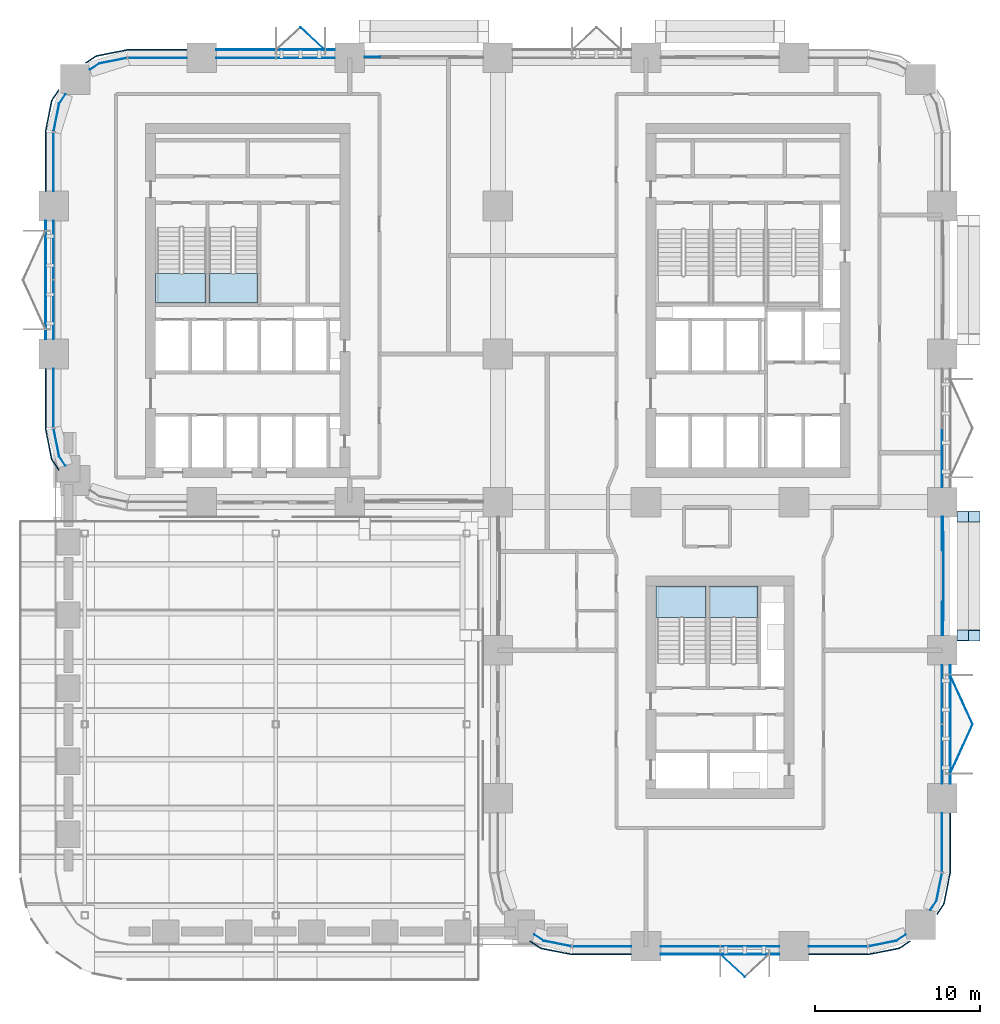
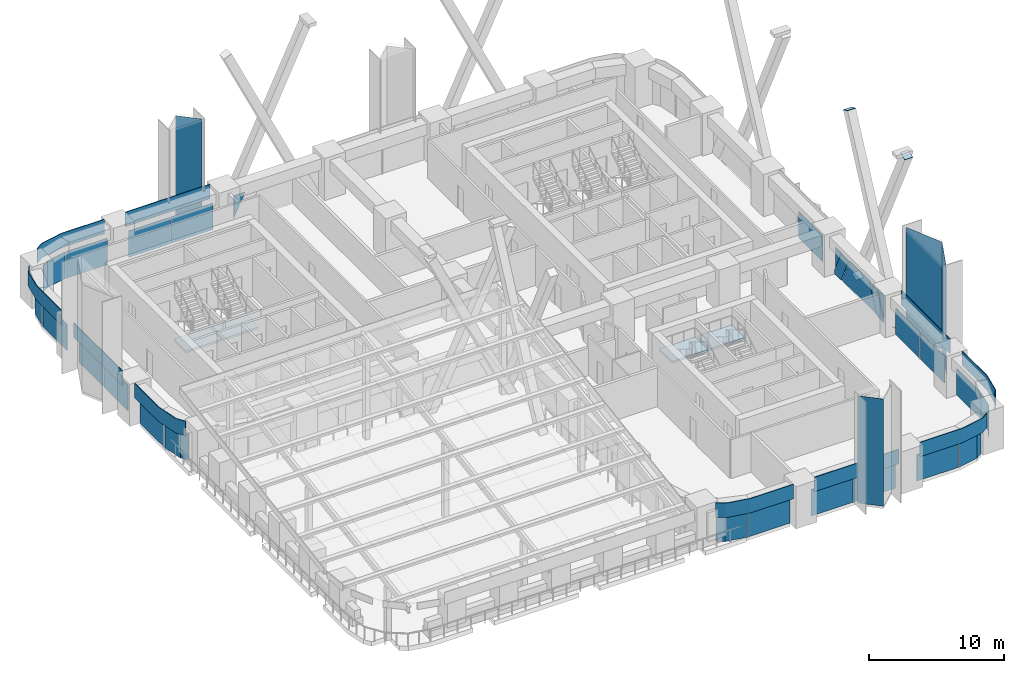
# One storey, part 11 of 22: 45 plates, 4 slabs, 17 elements without a shape of their own.
"""IFC4 building model written with IfcOpenShell, lengths in metres."""

import ifcopenshell
import ifcopenshell.guid

model = None  # the IFC model being written
_history = None  # IfcOwnerHistory: only IFC2X3 demands one
_inside = {}  # id of a spatial element -> (the spatial element, [elements in it])
_under = {}  # id of a project, library or spatial element -> (it, [spatial elements below it])
_declared = {}  # id of a project -> (the project, [libraries it declares])
_typed = {}  # id of a type object -> (the type object, [elements of that type])
_made_of = {}  # id of a material, layer set ... -> (it, [elements and type objects made of it])


def new_model(schema):
    """Start an empty IFC model of exactly this schema.

    Asked for "IFC4X3", IfcOpenShell would pick the latest addendum, in which some entities
    have other attributes; the version numbers below select the first issue.
    IFC2X3 requires an IfcOwnerHistory on every rooted entity: one is made here for all.
    """
    global model, _history
    if schema == "IFC4X3":
        model = ifcopenshell.file(schema_version=(4, 3, 0, 0))
    else:
        model = ifcopenshell.file(schema=schema)
    _inside.clear()
    _under.clear()
    _declared.clear()
    _typed.clear()
    _made_of.clear()
    _history = None
    if model.schema == "IFC2X3":
        org = make("IfcOrganization", Name="unknown")
        user = make(
            "IfcPersonAndOrganization",
            ThePerson=make("IfcPerson", FamilyName="unknown"),
            TheOrganization=org,
        )
        app = make(
            "IfcApplication",
            ApplicationDeveloper=org,
            Version="unknown",
            ApplicationFullName="unknown",
            ApplicationIdentifier="unknown",
        )
        _history = make(
            "IfcOwnerHistory",
            OwningUser=user,
            OwningApplication=app,
            ChangeAction="ADDED",
            CreationDate=0,
        )
    return model


def make(cls, **values):
    """One entity of the class cls with the attributes given. An attribute that is None is left unset."""
    return model.create_entity(
        cls, **{name: value for name, value in values.items() if value is not None}
    )


def rooted(cls, **values):
    """An entity with a GlobalId (a new one), such as an element, a storey or a relation."""
    return make(cls, GlobalId=ifcopenshell.guid.new(), OwnerHistory=_history, **values)


def si_unit(unit_type, name, prefix=None):
    """IfcSIUnit, for example si_unit("LENGTHUNIT", "METRE", prefix="MILLI")."""
    return make("IfcSIUnit", UnitType=unit_type, Prefix=prefix, Name=name)


def assignment(units):
    """IfcUnitAssignment: the units of a project."""
    return None if units is None else make("IfcUnitAssignment", Units=units)


def point(xyz):
    """IfcCartesianPoint."""
    return None if xyz is None else make("IfcCartesianPoint", Coordinates=xyz)


def direction(xyz):
    """IfcDirection."""
    return None if xyz is None else make("IfcDirection", DirectionRatios=xyz)


def frame(location, z_axis=None, x_axis=None):
    """IfcAxis2Placement3D, a coordinate frame: its origin and axes. An axis left out is left unset."""
    return make(
        "IfcAxis2Placement3D",
        Location=point(location),
        Axis=direction(z_axis),
        RefDirection=direction(x_axis),
    )


def frame_2d(location, x_axis=None):
    """IfcAxis2Placement2D, a coordinate frame in the plane: its origin and x axis."""
    return make(
        "IfcAxis2Placement2D", Location=point(location), RefDirection=direction(x_axis)
    )


def origin():
    """The frame at (0, 0, 0) with its axes left unset."""
    return frame((0.0, 0.0, 0.0))


def origin_2d():
    """The frame at (0, 0) in the plane with its x axis left unset."""
    return frame_2d((0.0, 0.0))


def place(relative_to, where):
    """IfcLocalPlacement: puts the frame where relative to a parent placement (None: the world)."""
    return make(
        "IfcLocalPlacement", PlacementRelTo=relative_to, RelativePlacement=where
    )


def context(
    kind, dimensions, precision=None, world=None, true_north=None, identifier=None
):
    """IfcGeometricRepresentationContext, for example the 3D "Model" context."""
    return make(
        "IfcGeometricRepresentationContext",
        ContextIdentifier=identifier,
        ContextType=kind,
        CoordinateSpaceDimension=dimensions,
        Precision=precision,
        WorldCoordinateSystem=world,
        TrueNorth=true_north,
    )


def subcontext(parent, identifier, kind, view, scale=None):
    """IfcGeometricRepresentationSubContext, for example "Body" below "Model"."""
    return make(
        "IfcGeometricRepresentationSubContext",
        ContextIdentifier=identifier,
        ContextType=kind,
        ParentContext=parent,
        TargetScale=scale,
        TargetView=view,
    )


def project(units=None, contexts=None):
    """IfcProject with its units and contexts."""
    return rooted(
        "IfcProject",
        Name="project",
        RepresentationContexts=contexts,
        UnitsInContext=assignment(units),
    )


def spatial(cls, under=None, at=None, **own):
    """A site, building, storey or space (cls), placed at a placement, below another one or the project."""
    s = rooted(cls, ObjectPlacement=at, **own)
    if under is not None:
        _under.setdefault(under.id(), (under, []))[1].append(s)
    return s


def polyline(points):
    """IfcPolyline through the points."""
    return make("IfcPolyline", Points=[point(p) for p in points])


def profile(cls, at=None, kind="AREA", **sizes):
    """A parametric profile (cls). Its sizes go by their IFC names, for example OverallWidth=200.0."""
    return make(cls, ProfileType=kind, Position=at, **sizes)


def rectangle(**sizes):
    """IfcRectangleProfileDef."""
    return profile("IfcRectangleProfileDef", **sizes)


def outline(outer, holes=None, kind="AREA"):
    """IfcArbitraryClosedProfileDef: a profile drawn as a closed curve; with holes, ...WithVoids."""
    if holes is None:
        return make("IfcArbitraryClosedProfileDef", ProfileType=kind, OuterCurve=outer)
    return make(
        "IfcArbitraryProfileDefWithVoids",
        ProfileType=kind,
        OuterCurve=outer,
        InnerCurves=holes,
    )


def extrude(swept, where, along, depth):
    """IfcExtrudedAreaSolid: the profile swept, set in the frame where, extruded along a direction by depth."""
    return make(
        "IfcExtrudedAreaSolid",
        SweptArea=swept,
        Position=where,
        ExtrudedDirection=direction(along),
        Depth=depth,
    )


def shape(context_of_items, identifier, shape_type, items):
    """IfcShapeRepresentation: the items that make up one representation, for example the "Body"."""
    return make(
        "IfcShapeRepresentation",
        ContextOfItems=context_of_items,
        RepresentationIdentifier=identifier,
        RepresentationType=shape_type,
        Items=items,
    )


def material(Name=None, Category=None):
    """IfcMaterial."""
    return make("IfcMaterial", Name=Name, Category=Category)


def layer(
    of_material, thickness, ventilated=None, Name=None, Category=None, Priority=None
):
    """IfcMaterialLayer: one layer of a wall or slab, of a material (None: an air gap)."""
    return make(
        "IfcMaterialLayer",
        Material=of_material,
        LayerThickness=thickness,
        IsVentilated=ventilated,
        Name=Name,
        Category=Category,
        Priority=Priority,
    )


def layer_set(layers, Name=None):
    """IfcMaterialLayerSet."""
    return make("IfcMaterialLayerSet", MaterialLayers=layers, LayerSetName=Name)


def made_of(thing, what):
    """Note that an element or type object is made of a material, layer set ...; save() writes the relation."""
    if what is not None:
        _made_of.setdefault(what.id(), (what, []))[1].append(thing)
    return thing


def type_object(cls, material=None, **own):
    """A type object (cls), such as IfcWallType, which elements share."""
    return made_of(rooted(cls, **own), material)


def element(
    cls,
    number,
    at=None,
    inside=None,
    cuts=None,
    type_object=None,
    material=None,
    context=None,
    identifier="Body",
    shape_type=None,
    held_by="IfcProductDefinitionShape",
    body=None,
    shapes=None,
    **own,
):
    """One element of the class cls, such as IfcWall. Its Tag is "e" and its number.

    at: its placement. inside: the storey or other place that contains it. cuts: it is an
    opening in that element (IfcRelVoidsElement). A single representation is given by context,
    identifier, shape_type and body (its items); several are given by shapes. held_by: the class
    of the entity that holds the representations. save() writes the other relations.
    """
    e = rooted(cls, Tag="e%d" % number, ObjectPlacement=at, **own)
    if body is not None:
        shapes = [shape(context, identifier, shape_type, body)]
    if shapes is not None:
        e.Representation = make(held_by, Representations=shapes)
    if inside is not None:
        _inside.setdefault(inside.id(), (inside, []))[1].append(e)
    if cuts is not None:
        rooted(
            "IfcRelVoidsElement", RelatingBuildingElement=cuts, RelatedOpeningElement=e
        )
    if type_object is not None:
        _typed.setdefault(type_object.id(), (type_object, []))[1].append(e)
    return made_of(e, material)


def aggregate(whole, parts):
    """IfcRelAggregates: a whole, such as a stair, and the parts it consists of."""
    return rooted("IfcRelAggregates", RelatingObject=whole, RelatedObjects=parts)


def save(model, path):
    """Write the relations noted so far, then the file.

    IfcRelAggregates (storeys below a building ...), IfcRelContainedInSpatialStructure (elements
    in a storey), IfcRelDefinesByType, IfcRelAssociatesMaterial and IfcRelDeclares: one each for
    every whole, place, type object, material and project.
    """
    for whole, parts in _under.values():
        aggregate(whole, parts)
    for where, things in _inside.values():
        rooted(
            "IfcRelContainedInSpatialStructure",
            RelatedElements=things,
            RelatingStructure=where,
        )
    for kind, things in _typed.values():
        rooted("IfcRelDefinesByType", RelatedObjects=things, RelatingType=kind)
    for what, things in _made_of.values():
        rooted("IfcRelAssociatesMaterial", RelatedObjects=things, RelatingMaterial=what)
    for by, libraries in _declared.values():
        rooted("IfcRelDeclares", RelatingContext=by, RelatedDefinitions=libraries)
    model.write(path)


model = new_model("IFC4")

# Units and contexts
model_context = context("Model", 3, precision=1e-05, world=origin(), true_north=direction((0.0, 1.0)))
body_context = subcontext(model_context, "Body", "Model", "MODEL_VIEW")
ifc_project = project(units=[si_unit("LENGTHUNIT", "METRE"), si_unit("AREAUNIT", "SQUARE_METRE"), si_unit("VOLUMEUNIT", "CUBIC_METRE"), si_unit("PLANEANGLEUNIT", "RADIAN"), si_unit("MASSUNIT", "GRAM", prefix="KILO")], contexts=[model_context])

# Site, building, storey
site_placement = place(None, origin())
site = spatial("IfcSite", under=ifc_project, at=site_placement, CompositionType="ELEMENT")
building_placement = place(site_placement, origin())
building = spatial("IfcBuilding", under=site, at=building_placement, Name="Tessera Arch", CompositionType="ELEMENT")
storey_placement = place(building_placement, frame((0.0, 0.0, 77.800048828125)))
storey = spatial("IfcBuildingStorey", under=building, at=storey_placement, Name="L17", CompositionType="ELEMENT", Elevation=77.800048828125)

# Curtain wall, plates
ifc_material_1 = material(Name="CW1 curtain wall")
curtain_wall_type_1 = type_object("IfcCurtainWallType", Name="CW1 curtain wall", PredefinedType="NOTDEFINED", material=ifc_material_1)
curtain_wall_1_placement = place(storey_placement, origin())
curtain_wall_1 = element("IfcCurtainWall", 1, at=curtain_wall_1_placement, inside=storey, type_object=curtain_wall_type_1, Name="CW1 curtain wall N54.0/3 L17", PredefinedType="NOTDEFINED")
ifc_material_2 = material(Name="Clear low-e glass", Category="glass")
ifc_material_3 = material(Name="Clear low-e glass", Category="glass")
ifc_layer_1 = layer(ifc_material_3, 0.028076171875)
ifc_layer_set_1 = layer_set([ifc_layer_1], Name="CW1 glass panel")
plate_type_1 = type_object("IfcPlateType", Name="CW1 glass panel", PredefinedType="CURTAIN_PANEL", material=ifc_layer_set_1)
plate_1_placement = place(storey_placement, frame((15.31494140625, 54.0, 0.0), z_axis=(0.0, 0.0, 1.0), x_axis=(-1.0, 0.0, 0.0)))
plate_1 = element("IfcPlate", 2, at=plate_1_placement, type_object=plate_type_1, material=ifc_material_2, Name="CW1 glass panel N54.0/3 1.1.1", PredefinedType="CURTAIN_PANEL", context=body_context, shape_type="SweptSolid", body=[
    extrude(rectangle(XDim=3.570068359375, YDim=0.028076171875, at=origin_2d()), origin(), (0.0, 0.0, 1.0), 2.39990234375),
])
plate_2_placement = place(storey_placement, frame((11.68505859375, 54.0, 0.0), z_axis=(0.0, 0.0, 1.0), x_axis=(-1.0, 0.0, 0.0)))
plate_2 = element("IfcPlate", 3, at=plate_2_placement, type_object=plate_type_1, material=ifc_material_2, Name="CW1 glass panel N54.0/3 1.2.1", PredefinedType="CURTAIN_PANEL", context=body_context, shape_type="SweptSolid", body=[
    extrude(rectangle(XDim=3.570068359375, YDim=0.028076171875, at=origin_2d()), origin(), (0.0, 0.0, 1.0), 2.39990234375),
])

curtain_wall_2_placement = place(storey_placement, origin())
curtain_wall_2 = element("IfcCurtainWall", 4, at=curtain_wall_2_placement, inside=storey, type_object=curtain_wall_type_1, Name="CW1 curtain wall W0.27/1 L17", PredefinedType="NOTDEFINED")
plate_3_placement = place(storey_placement, frame((0.0, 42.31494140625, 0.0), z_axis=(0.0, 0.0, 1.0), x_axis=(0.0, -1.0, 0.0)))
plate_3 = element("IfcPlate", 5, at=plate_3_placement, type_object=plate_type_1, material=ifc_material_2, Name="CW1 glass panel W0.27/1 1.1.1", PredefinedType="CURTAIN_PANEL", context=body_context, shape_type="SweptSolid", body=[
    extrude(rectangle(XDim=3.570068359375, YDim=0.028076171875, at=origin_2d()), origin(), (0.0, 0.0, 1.0), 2.39990234375),
])
plate_4_placement = place(storey_placement, frame((0.0, 38.68505859375, 0.0), z_axis=(0.0, 0.0, 1.0), x_axis=(0.0, -1.0, 0.0)))
plate_4 = element("IfcPlate", 6, at=plate_4_placement, type_object=plate_type_1, material=ifc_material_2, Name="CW1 glass panel W0.27/1 1.2.1", PredefinedType="CURTAIN_PANEL", context=body_context, shape_type="SweptSolid", body=[
    extrude(rectangle(XDim=3.570068359375, YDim=0.028076171875, at=origin_2d()), origin(), (0.0, 0.0, 1.0), 2.39990234375),
])

curtain_wall_3_placement = place(storey_placement, origin())
curtain_wall_3 = element("IfcCurtainWall", 7, at=curtain_wall_3_placement, inside=storey, type_object=curtain_wall_type_1, Name="CW1 curtain wall S0.27/1 L17", PredefinedType="NOTDEFINED")
plate_5_placement = place(storey_placement, frame((38.68505859375, 0.0, 0.0), z_axis=(0.0, 0.0, 1.0), x_axis=(1.0, 0.0, 0.0)))
plate_5 = element("IfcPlate", 8, at=plate_5_placement, type_object=plate_type_1, material=ifc_material_2, Name="CW1 glass panel S0.27/1 1.1.1", PredefinedType="CURTAIN_PANEL", context=body_context, shape_type="SweptSolid", body=[
    extrude(rectangle(XDim=3.570068359375, YDim=0.028076171875, at=origin_2d()), origin(), (0.0, 0.0, 1.0), 2.39990234375),
])
plate_6_placement = place(storey_placement, frame((42.31494140625, 0.0, 0.0), z_axis=(0.0, 0.0, 1.0), x_axis=(1.0, 0.0, 0.0)))
plate_6 = element("IfcPlate", 9, at=plate_6_placement, type_object=plate_type_1, material=ifc_material_2, Name="CW1 glass panel S0.27/1 1.2.1", PredefinedType="CURTAIN_PANEL", context=body_context, shape_type="SweptSolid", body=[
    extrude(rectangle(XDim=3.570068359375, YDim=0.028076171875, at=origin_2d()), origin(), (0.0, 0.0, 1.0), 2.39990234375),
])

curtain_wall_4_placement = place(storey_placement, origin())
curtain_wall_4 = element("IfcCurtainWall", 10, at=curtain_wall_4_placement, inside=storey, type_object=curtain_wall_type_1, Name="CW1 curtain wall E54.0/1 L17", PredefinedType="NOTDEFINED")
plate_7_placement = place(storey_placement, frame((54.0, 11.68505859375, 0.0), z_axis=(0.0, 0.0, 1.0), x_axis=(0.0, 1.0, 0.0)))
plate_7 = element("IfcPlate", 11, at=plate_7_placement, type_object=plate_type_1, material=ifc_material_2, Name="CW1 glass panel E54.0/1 1.1.1", PredefinedType="CURTAIN_PANEL", context=body_context, shape_type="SweptSolid", body=[
    extrude(rectangle(XDim=3.570068359375, YDim=0.028076171875, at=origin_2d()), origin(), (0.0, 0.0, 1.0), 2.39990234375),
])
plate_8_placement = place(storey_placement, frame((54.0, 15.31494140625, 0.0), z_axis=(0.0, 0.0, 1.0), x_axis=(0.0, 1.0, 0.0)))
plate_8 = element("IfcPlate", 12, at=plate_8_placement, type_object=plate_type_1, material=ifc_material_2, Name="CW1 glass panel E54.0/1 1.2.1", PredefinedType="CURTAIN_PANEL", context=body_context, shape_type="SweptSolid", body=[
    extrude(rectangle(XDim=3.570068359375, YDim=0.028076171875, at=origin_2d()), origin(), (0.0, 0.0, 1.0), 2.39990234375),
])

# Curtain wall, plate
curtain_wall_5_placement = place(storey_placement, origin())
curtain_wall_5 = element("IfcCurtainWall", 13, at=curtain_wall_5_placement, inside=storey, type_object=curtain_wall_type_1, Name="CW1 curtain wall E54.0/3 L17", PredefinedType="NOTDEFINED")
plate_9_placement = place(storey_placement, frame((54.0, 29.68505859375, 0.0), z_axis=(0.0, 0.0, 1.0), x_axis=(0.0, 1.0, 0.0)))
plate_9 = element("IfcPlate", 14, at=plate_9_placement, type_object=plate_type_1, material=ifc_material_2, Name="CW1 glass panel E54.0/3 1.1.1", PredefinedType="CURTAIN_PANEL", context=body_context, shape_type="SweptSolid", body=[
    extrude(rectangle(XDim=3.570068359375, YDim=0.028076171875, at=origin_2d()), origin(), (0.0, 0.0, 1.0), 2.39990234375),
])
aggregate(curtain_wall_5, [plate_9])

# Plate
ifc_material_4 = material(Name="Pale anodised aluminium panel", Category="aluminium")
ifc_layer_2 = layer(ifc_material_4, 0.06005859375)
ifc_layer_set_2 = layer_set([ifc_layer_2], Name="CW1 spandrel panel")
plate_type_2 = type_object("IfcPlateType", Name="CW1 spandrel panel", PredefinedType="CURTAIN_PANEL", material=ifc_layer_set_2)
plate_10_placement = place(storey_placement, frame((13.5, 54.47998046875, 2.5), z_axis=(0.0, 0.0, 1.0), x_axis=(-1.0, 0.0, 0.0)))
plate_10 = element("IfcPlate", 15, at=plate_10_placement, type_object=plate_type_2, Name="CW1 spandrel panel N54.0/3", PredefinedType="CURTAIN_PANEL", context=body_context, shape_type="SweptSolid", body=[
    extrude(rectangle(XDim=7.199951171875, YDim=0.06005859375, at=origin_2d()), origin(), (0.0, 0.0, 1.0), 1.300048828125),
])

aggregate(curtain_wall_1, [plate_1, plate_2, plate_10])

plate_11_placement = place(storey_placement, frame((-0.47998046875, 40.5, 2.5), z_axis=(0.0, 0.0, 1.0), x_axis=(0.0, -1.0, 0.0)))
plate_11 = element("IfcPlate", 16, at=plate_11_placement, type_object=plate_type_2, Name="CW1 spandrel panel W0.27/1", PredefinedType="CURTAIN_PANEL", context=body_context, shape_type="SweptSolid", body=[
    extrude(rectangle(XDim=7.199951171875, YDim=0.06005859375, at=origin_2d()), origin(), (0.0, 0.0, 1.0), 1.300048828125),
])

aggregate(curtain_wall_2, [plate_3, plate_4, plate_11])

plate_12_placement = place(storey_placement, frame((40.5, -0.47998046875, 2.5), z_axis=(0.0, 0.0, 1.0), x_axis=(1.0, 0.0, 0.0)))
plate_12 = element("IfcPlate", 17, at=plate_12_placement, type_object=plate_type_2, Name="CW1 spandrel panel S0.27/1", PredefinedType="CURTAIN_PANEL", context=body_context, shape_type="SweptSolid", body=[
    extrude(rectangle(XDim=7.199951171875, YDim=0.06005859375, at=origin_2d()), origin(), (0.0, 0.0, 1.0), 1.300048828125),
])

aggregate(curtain_wall_3, [plate_5, plate_6, plate_12])

plate_13_placement = place(storey_placement, frame((54.47998046875, 13.5, 2.5), z_axis=(0.0, 0.0, 1.0), x_axis=(0.0, 1.0, 0.0)))
plate_13 = element("IfcPlate", 18, at=plate_13_placement, type_object=plate_type_2, Name="CW1 spandrel panel E54.0/1", PredefinedType="CURTAIN_PANEL", context=body_context, shape_type="SweptSolid", body=[
    extrude(rectangle(XDim=7.199951171875, YDim=0.06005859375, at=origin_2d()), origin(), (0.0, 0.0, 1.0), 1.300048828125),
])

aggregate(curtain_wall_4, [plate_7, plate_8, plate_13])

# Curtain wall, plates
ifc_material_5 = material(Name="CW2 curtain wall")
curtain_wall_type_2 = type_object("IfcCurtainWallType", Name="CW2 curtain wall", PredefinedType="NOTDEFINED", material=ifc_material_5)
curtain_wall_6_placement = place(storey_placement, origin())
curtain_wall_6 = element("IfcCurtainWall", 19, at=curtain_wall_6_placement, inside=storey, type_object=curtain_wall_type_2, Name="CW2 curtain wall N54.0/4 L17", PredefinedType="NOTDEFINED")
ifc_material_6 = material(Name="Clear low-e glass", Category="glass")
ifc_layer_3 = layer(ifc_material_6, 0.028076171875)
ifc_layer_set_3 = layer_set([ifc_layer_3], Name="CW2 glass panel")
plate_type_3 = type_object("IfcPlateType", Name="CW2 glass panel", PredefinedType="CURTAIN_PANEL", material=ifc_layer_set_3)
plate_14_placement = place(storey_placement, frame((6.320068359375, 54.0, 0.0), z_axis=(0.0, 0.0, 1.0), x_axis=(-1.0, 0.0, 0.0)))
plate_14 = element("IfcPlate", 20, at=plate_14_placement, type_object=plate_type_3, material=ifc_material_2, Name="CW2 glass panel N54.0/4 1.1", PredefinedType="CURTAIN_PANEL", context=body_context, shape_type="SweptSolid", body=[
    extrude(rectangle(XDim=3.56005859375, YDim=0.028076171875, at=origin_2d()), origin(), (0.0, 0.0, 1.0), 2.39990234375),
])
plate_15_placement = place(storey_placement, origin())
plate_15 = element("IfcPlate", 21, at=plate_15_placement, type_object=plate_type_3, material=ifc_material_2, Name="CW2 curved glass panel N54.0/4 2.1", PredefinedType="CURTAIN_PANEL", context=body_context, shape_type="SweptSolid", body=[
    extrude(outline(polyline([(2.783447265625, 53.644287109375), (4.46337890625, 53.978515625), (4.4580078125, 54.005859375), (2.7724609375, 53.670654296875), (2.210205078125, 53.294921875), (2.225830078125, 53.271728515625), (2.783447265625, 53.644287109375)])), origin(), (0.0, 0.0, 1.0), 2.39990234375),
])

curtain_wall_7_placement = place(storey_placement, origin())
curtain_wall_7 = element("IfcCurtainWall", 22, at=curtain_wall_7_placement, inside=storey, type_object=curtain_wall_type_2, Name="CW2 curtain wall W0.27/0 L17", PredefinedType="NOTDEFINED")
plate_16_placement = place(storey_placement, frame((0.0, 47.679931640625, 0.0), z_axis=(0.0, 0.0, 1.0), x_axis=(0.0, -1.0, 0.0)))
plate_16 = element("IfcPlate", 23, at=plate_16_placement, type_object=plate_type_3, material=ifc_material_2, Name="CW2 glass panel W0.27/0 1.1", PredefinedType="CURTAIN_PANEL", context=body_context, shape_type="SweptSolid", body=[
    extrude(rectangle(XDim=3.56005859375, YDim=0.028076171875, at=origin_2d()), origin(), (0.0, 0.0, 1.0), 2.39990234375),
])
plate_17_placement = place(storey_placement, origin())
plate_17 = element("IfcPlate", 24, at=plate_17_placement, type_object=plate_type_3, material=ifc_material_2, Name="CW2 curved glass panel W0.27/0 2.1", PredefinedType="CURTAIN_PANEL", context=body_context, shape_type="SweptSolid", body=[
    extrude(outline(polyline([(0.355712890625, 51.216552734375), (0.728271484375, 51.774169921875), (0.705078125, 51.789794921875), (0.329345703125, 51.2275390625), (-0.005859375, 49.5419921875), (0.021484375, 49.53662109375), (0.355712890625, 51.216552734375)])), origin(), (0.0, 0.0, 1.0), 2.39990234375),
])

curtain_wall_8_placement = place(storey_placement, origin())
curtain_wall_8 = element("IfcCurtainWall", 25, at=curtain_wall_8_placement, inside=storey, type_object=curtain_wall_type_2, Name="CW2 curtain wall W0.27/2 L17", PredefinedType="NOTDEFINED")
plate_18_placement = place(storey_placement, frame((0.0, 33.320068359375, 0.0), z_axis=(0.0, 0.0, 1.0), x_axis=(0.0, -1.0, 0.0)))
plate_18 = element("IfcPlate", 26, at=plate_18_placement, type_object=plate_type_3, material=ifc_material_2, Name="CW2 glass panel W0.27/2 1.1", PredefinedType="CURTAIN_PANEL", context=body_context, shape_type="SweptSolid", body=[
    extrude(rectangle(XDim=3.56005859375, YDim=0.028076171875, at=origin_2d()), origin(), (0.0, 0.0, 1.0), 2.39990234375),
])
plate_19_placement = place(storey_placement, origin())
plate_19 = element("IfcPlate", 27, at=plate_19_placement, type_object=plate_type_3, material=ifc_material_2, Name="CW2 curved glass panel W0.27/2 2.1", PredefinedType="CURTAIN_PANEL", context=body_context, shape_type="SweptSolid", body=[
    extrude(outline(polyline([(0.355712890625, 29.783447265625), (0.021484375, 31.46337890625), (-0.005859375, 31.4580078125), (0.329345703125, 29.7724609375), (0.705078125, 29.210205078125), (0.728271484375, 29.225830078125), (0.355712890625, 29.783447265625)])), origin(), (0.0, 0.0, 1.0), 2.39990234375),
])

curtain_wall_9_placement = place(storey_placement, origin())
curtain_wall_9 = element("IfcCurtainWall", 28, at=curtain_wall_9_placement, inside=storey, type_object=curtain_wall_type_2, Name="CW2 curtain wall S0.27/0 L17", PredefinedType="NOTDEFINED")
plate_20_placement = place(storey_placement, frame((33.320068359375, 0.0, 0.0), z_axis=(0.0, 0.0, 1.0), x_axis=(1.0, 0.0, 0.0)))
plate_20 = element("IfcPlate", 29, at=plate_20_placement, type_object=plate_type_3, material=ifc_material_2, Name="CW2 glass panel S0.27/0 1.1", PredefinedType="CURTAIN_PANEL", context=body_context, shape_type="SweptSolid", body=[
    extrude(rectangle(XDim=3.56005859375, YDim=0.028076171875, at=origin_2d()), origin(), (0.0, 0.0, 1.0), 2.39990234375),
])
plate_21_placement = place(storey_placement, origin())
plate_21 = element("IfcPlate", 30, at=plate_21_placement, type_object=plate_type_3, material=ifc_material_2, Name="CW2 curved glass panel S0.27/0 2.1", PredefinedType="CURTAIN_PANEL", context=body_context, shape_type="SweptSolid", body=[
    extrude(outline(polyline([(29.783447265625, 0.355712890625), (29.225830078125, 0.728271484375), (29.210205078125, 0.705078125), (29.7724609375, 0.329345703125), (31.4580078125, -0.005859375), (31.46337890625, 0.021484375), (29.783447265625, 0.355712890625)])), origin(), (0.0, 0.0, 1.0), 2.39990234375),
])

curtain_wall_10_placement = place(storey_placement, origin())
curtain_wall_10 = element("IfcCurtainWall", 31, at=curtain_wall_10_placement, inside=storey, type_object=curtain_wall_type_2, Name="CW2 curtain wall S0.27/2 L17", PredefinedType="NOTDEFINED")
plate_22_placement = place(storey_placement, frame((47.679931640625, 0.0, 0.0), z_axis=(0.0, 0.0, 1.0), x_axis=(1.0, 0.0, 0.0)))
plate_22 = element("IfcPlate", 32, at=plate_22_placement, type_object=plate_type_3, material=ifc_material_2, Name="CW2 glass panel S0.27/2 1.1", PredefinedType="CURTAIN_PANEL", context=body_context, shape_type="SweptSolid", body=[
    extrude(rectangle(XDim=3.56005859375, YDim=0.028076171875, at=origin_2d()), origin(), (0.0, 0.0, 1.0), 2.39990234375),
])
plate_23_placement = place(storey_placement, origin())
plate_23 = element("IfcPlate", 33, at=plate_23_placement, type_object=plate_type_3, material=ifc_material_2, Name="CW2 curved glass panel S0.27/2 2.1", PredefinedType="CURTAIN_PANEL", context=body_context, shape_type="SweptSolid", body=[
    extrude(outline(polyline([(51.216552734375, 0.355712890625), (49.53662109375, 0.021484375), (49.5419921875, -0.005859375), (51.2275390625, 0.329345703125), (51.789794921875, 0.705078125), (51.774169921875, 0.728271484375), (51.216552734375, 0.355712890625)])), origin(), (0.0, 0.0, 1.0), 2.39990234375),
])

curtain_wall_11_placement = place(storey_placement, origin())
curtain_wall_11 = element("IfcCurtainWall", 34, at=curtain_wall_11_placement, inside=storey, type_object=curtain_wall_type_2, Name="CW2 curtain wall E54.0/0 L17", PredefinedType="NOTDEFINED")
plate_24_placement = place(storey_placement, frame((54.0, 6.320068359375, 0.0), z_axis=(0.0, 0.0, 1.0), x_axis=(0.0, 1.0, 0.0)))
plate_24 = element("IfcPlate", 35, at=plate_24_placement, type_object=plate_type_3, material=ifc_material_2, Name="CW2 glass panel E54.0/0 1.1", PredefinedType="CURTAIN_PANEL", context=body_context, shape_type="SweptSolid", body=[
    extrude(rectangle(XDim=3.56005859375, YDim=0.028076171875, at=origin_2d()), origin(), (0.0, 0.0, 1.0), 2.39990234375),
])
plate_25_placement = place(storey_placement, origin())
plate_25 = element("IfcPlate", 36, at=plate_25_placement, type_object=plate_type_3, material=ifc_material_2, Name="CW2 curved glass panel E54.0/0 2.1", PredefinedType="CURTAIN_PANEL", context=body_context, shape_type="SweptSolid", body=[
    extrude(outline(polyline([(53.644287109375, 2.783447265625), (53.271728515625, 2.225830078125), (53.294921875, 2.210205078125), (53.670654296875, 2.7724609375), (54.005859375, 4.4580078125), (53.978515625, 4.46337890625), (53.644287109375, 2.783447265625)])), origin(), (0.0, 0.0, 1.0), 2.39990234375),
])

# Plate
ifc_material_7 = material(Name="Pale anodised aluminium panel", Category="aluminium")
ifc_layer_4 = layer(ifc_material_7, 0.06005859375)
ifc_layer_set_4 = layer_set([ifc_layer_4], Name="CW2 spandrel panel")
plate_type_4 = type_object("IfcPlateType", Name="CW2 spandrel panel", PredefinedType="CURTAIN_PANEL", material=ifc_layer_set_4)
plate_26_placement = place(storey_placement, frame((0.0, 0.0, 2.5)))
plate_26 = element("IfcPlate", 37, at=plate_26_placement, type_object=plate_type_4, Name="CW2 spandrel panel N54.0/4", PredefinedType="CURTAIN_PANEL", context=body_context, shape_type="SweptSolid", body=[
    extrude(outline(polyline([(4.500732421875, 54.449951171875), (8.10009765625, 54.449951171875), (8.10009765625, 54.510009765625), (4.499267578125, 54.510009765625), (4.449951171875, 54.507568359375), (4.401123046875, 54.500244140625), (2.677734375, 54.157470703125), (2.6298828125, 54.1455078125), (2.582763671875, 54.128662109375), (2.537353515625, 54.107177734375), (2.4951171875, 54.08203125), (1.9345703125, 53.707275390625), (1.968017578125, 53.657470703125), (2.52734375, 54.03125), (2.565673828125, 54.05419921875), (2.605712890625, 54.0732421875), (2.647216796875, 54.088134765625), (2.69091796875, 54.09912109375), (4.411376953125, 54.441162109375), (4.455810546875, 54.44775390625), (4.500732421875, 54.449951171875)])), origin(), (0.0, 0.0, 1.0), 1.300048828125),
])

aggregate(curtain_wall_6, [plate_14, plate_15, plate_26])

plate_27_placement = place(storey_placement, frame((0.0, 0.0, 2.5)))
plate_27 = element("IfcPlate", 38, at=plate_27_placement, type_object=plate_type_4, Name="CW2 spandrel panel W0.27/0", PredefinedType="CURTAIN_PANEL", context=body_context, shape_type="SweptSolid", body=[
    extrude(outline(polyline([(-0.03125, 51.47265625), (0.342529296875, 52.031982421875), (0.292724609375, 52.0654296875), (-0.08203125, 51.5048828125), (-0.107177734375, 51.462646484375), (-0.128662109375, 51.417236328125), (-0.1455078125, 51.3701171875), (-0.157470703125, 51.322265625), (-0.500244140625, 49.598876953125), (-0.507568359375, 49.550048828125), (-0.510009765625, 49.500732421875), (-0.510009765625, 45.89990234375), (-0.449951171875, 45.89990234375), (-0.449951171875, 49.499267578125), (-0.44775390625, 49.544189453125), (-0.441162109375, 49.588623046875), (-0.09912109375, 51.30908203125), (-0.088134765625, 51.352783203125), (-0.0732421875, 51.394287109375), (-0.05419921875, 51.434326171875), (-0.03125, 51.47265625)])), origin(), (0.0, 0.0, 1.0), 1.300048828125),
])

aggregate(curtain_wall_7, [plate_16, plate_17, plate_27])

plate_28_placement = place(storey_placement, frame((0.0, 0.0, 2.5)))
plate_28 = element("IfcPlate", 39, at=plate_28_placement, type_object=plate_type_4, Name="CW2 spandrel panel W0.27/2", PredefinedType="CURTAIN_PANEL", context=body_context, shape_type="SweptSolid", body=[
    extrude(outline(polyline([(-0.449951171875, 31.500732421875), (-0.449951171875, 35.10009765625), (-0.510009765625, 35.10009765625), (-0.510009765625, 31.499267578125), (-0.507568359375, 31.449951171875), (-0.500244140625, 31.401123046875), (-0.157470703125, 29.677734375), (-0.1455078125, 29.6298828125), (-0.128662109375, 29.582763671875), (-0.107177734375, 29.537353515625), (-0.08203125, 29.4951171875), (0.292724609375, 28.9345703125), (0.342529296875, 28.968017578125), (-0.03125, 29.52734375), (-0.05419921875, 29.565673828125), (-0.0732421875, 29.605712890625), (-0.088134765625, 29.647216796875), (-0.09912109375, 29.69091796875), (-0.441162109375, 31.411376953125), (-0.44775390625, 31.455810546875), (-0.449951171875, 31.500732421875)])), origin(), (0.0, 0.0, 1.0), 1.300048828125),
])

aggregate(curtain_wall_8, [plate_18, plate_19, plate_28])

plate_29_placement = place(storey_placement, frame((0.0, 0.0, 2.5)))
plate_29 = element("IfcPlate", 40, at=plate_29_placement, type_object=plate_type_4, Name="CW2 spandrel panel S0.27/0", PredefinedType="CURTAIN_PANEL", context=body_context, shape_type="SweptSolid", body=[
    extrude(outline(polyline([(29.52734375, -0.03125), (28.968017578125, 0.342529296875), (28.9345703125, 0.292724609375), (29.4951171875, -0.08203125), (29.537353515625, -0.107177734375), (29.582763671875, -0.128662109375), (29.6298828125, -0.1455078125), (29.677734375, -0.157470703125), (31.401123046875, -0.500244140625), (31.449951171875, -0.507568359375), (31.499267578125, -0.510009765625), (35.10009765625, -0.510009765625), (35.10009765625, -0.449951171875), (31.500732421875, -0.449951171875), (31.455810546875, -0.44775390625), (31.411376953125, -0.441162109375), (29.69091796875, -0.09912109375), (29.647216796875, -0.088134765625), (29.605712890625, -0.0732421875), (29.565673828125, -0.05419921875), (29.52734375, -0.03125)])), origin(), (0.0, 0.0, 1.0), 1.300048828125),
])

aggregate(curtain_wall_9, [plate_20, plate_21, plate_29])

plate_30_placement = place(storey_placement, frame((0.0, 0.0, 2.5)))
plate_30 = element("IfcPlate", 41, at=plate_30_placement, type_object=plate_type_4, Name="CW2 spandrel panel S0.27/2", PredefinedType="CURTAIN_PANEL", context=body_context, shape_type="SweptSolid", body=[
    extrude(outline(polyline([(49.499267578125, -0.449951171875), (45.89990234375, -0.449951171875), (45.89990234375, -0.510009765625), (49.500732421875, -0.510009765625), (49.550048828125, -0.507568359375), (49.598876953125, -0.500244140625), (51.322265625, -0.157470703125), (51.3701171875, -0.1455078125), (51.417236328125, -0.128662109375), (51.462646484375, -0.107177734375), (51.5048828125, -0.08203125), (52.0654296875, 0.292724609375), (52.031982421875, 0.342529296875), (51.47265625, -0.03125), (51.434326171875, -0.05419921875), (51.394287109375, -0.0732421875), (51.352783203125, -0.088134765625), (51.30908203125, -0.09912109375), (49.588623046875, -0.441162109375), (49.544189453125, -0.44775390625), (49.499267578125, -0.449951171875)])), origin(), (0.0, 0.0, 1.0), 1.300048828125),
])

aggregate(curtain_wall_10, [plate_22, plate_23, plate_30])

plate_31_placement = place(storey_placement, frame((0.0, 0.0, 2.5)))
plate_31 = element("IfcPlate", 42, at=plate_31_placement, type_object=plate_type_4, Name="CW2 spandrel panel E54.0/0", PredefinedType="CURTAIN_PANEL", context=body_context, shape_type="SweptSolid", body=[
    extrude(outline(polyline([(54.03125, 2.52734375), (53.657470703125, 1.968017578125), (53.707275390625, 1.9345703125), (54.08203125, 2.4951171875), (54.107177734375, 2.537353515625), (54.128662109375, 2.582763671875), (54.1455078125, 2.6298828125), (54.157470703125, 2.677734375), (54.500244140625, 4.401123046875), (54.507568359375, 4.449951171875), (54.510009765625, 4.499267578125), (54.510009765625, 8.10009765625), (54.449951171875, 8.10009765625), (54.449951171875, 4.500732421875), (54.44775390625, 4.455810546875), (54.441162109375, 4.411376953125), (54.09912109375, 2.69091796875), (54.088134765625, 2.647216796875), (54.0732421875, 2.605712890625), (54.05419921875, 2.565673828125), (54.03125, 2.52734375)])), origin(), (0.0, 0.0, 1.0), 1.300048828125),
])

aggregate(curtain_wall_11, [plate_24, plate_25, plate_31])

# Curtain wall, plates
ifc_material_8 = material(Name="CW3 curtain wall")
curtain_wall_type_3 = type_object("IfcCurtainWallType", Name="CW3 curtain wall", PredefinedType="NOTDEFINED", material=ifc_material_8)
curtain_wall_12_placement = place(storey_placement, origin())
curtain_wall_12 = element("IfcCurtainWall", 43, at=curtain_wall_12_placement, inside=storey, type_object=curtain_wall_type_3, Name="CW3 curtain wall E54.0/2 L17", PredefinedType="NOTDEFINED")
ifc_material_9 = material(Name="Pale anodised aluminium panel", Category="aluminium")
ifc_layer_5 = layer(ifc_material_9, 0.06005859375)
ifc_layer_set_5 = layer_set([ifc_layer_5], Name="CW3 diagonal panel")
plate_type_5 = type_object("IfcPlateType", Name="CW3 diagonal panel", PredefinedType="CURTAIN_PANEL", material=ifc_layer_set_5)
plate_32_placement = place(storey_placement, frame((54.030029296875, 26.10009765625, 0.0), z_axis=(1.0, 0.0, 0.0), x_axis=(0.0, 0.0, 1.0)))
plate_32 = element("IfcPlate", 44, at=plate_32_placement, type_object=plate_type_5, Name="CW3 diagonal panel E54.0/2 1", PredefinedType="CURTAIN_PANEL", context=body_context, shape_type="SweptSolid", body=[
    extrude(outline(polyline([(0.0, 0.0), (0.36083984375, 0.0), (2.39990234375, 0.966064453125), (2.39990234375, 2.06591796875), (0.0, 0.928955078125), (0.0, 0.0)])), origin(), (0.0, 0.0, -1.0), 0.06005859375),
])
plate_33_placement = place(storey_placement, frame((54.030029296875, 20.9658203125, 2.39990234375), z_axis=(1.0, 0.0, 0.0), x_axis=(0.0, -1.0, 0.0)))
plate_33 = element("IfcPlate", 45, at=plate_33_placement, type_object=plate_type_5, Name="CW3 diagonal panel E54.0/2 2", PredefinedType="CURTAIN_PANEL", context=body_context, shape_type="SweptSolid", body=[
    extrude(outline(polyline([(0.0, 0.0), (1.099853515625, 0.0), (2.06591796875, 2.0390625), (2.06591796875, 2.39990234375), (1.136962890625, 2.39990234375), (0.0, 0.0)])), origin(), (0.0, 0.0, -1.0), 0.06005859375),
])

# Curtain wall, plate
curtain_wall_13_placement = place(storey_placement, origin())
curtain_wall_13 = element("IfcCurtainWall", 46, at=curtain_wall_13_placement, inside=storey, type_object=curtain_wall_type_3, Name="CW3 curtain wall N54.0/2 L17", PredefinedType="NOTDEFINED")
ifc_material_10 = material(Name="Clear low-e glass", Category="glass")
ifc_layer_6 = layer(ifc_material_10, 0.028076171875)
ifc_layer_set_6 = layer_set([ifc_layer_6], Name="CW3 glass panel")
plate_type_6 = type_object("IfcPlateType", Name="CW3 glass panel", PredefinedType="CURTAIN_PANEL", material=ifc_layer_set_6)
plate_34_placement = place(storey_placement, frame((18.89990234375, 54.05810546875, 2.39990234375), z_axis=(0.0, 1.0, 0.0), x_axis=(1.0, 0.0, 0.0)))
plate_34 = element("IfcPlate", 47, at=plate_34_placement, type_object=plate_type_6, material=ifc_material_2, Name="CW3 triangulated glass panel N54.0/2 3", PredefinedType="CURTAIN_PANEL", context=body_context, shape_type="SweptSolid", body=[
    extrude(outline(polyline([(0.0, 0.0), (0.966064453125, 0.0), (0.0, 2.0390625), (0.0, 0.0)])), origin(), (0.0, 0.0, -1.0), 0.028076171875),
])
aggregate(curtain_wall_13, [plate_34])

# Plate
plate_35_placement = place(storey_placement, frame((54.05810546875, 18.89990234375, 2.39990234375), z_axis=(1.0, 0.0, 0.0), x_axis=(0.0, 0.0, -1.0)))
plate_35 = element("IfcPlate", 48, at=plate_35_placement, type_object=plate_type_6, material=ifc_material_2, Name="CW3 triangulated glass panel E54.0/2 1", PredefinedType="CURTAIN_PANEL", context=body_context, shape_type="SweptSolid", body=[
    extrude(outline(polyline([(0.0, 0.0), (2.0390625, 0.0), (0.0, 0.966064453125), (0.0, 0.0)])), origin(), (0.0, 0.0, -1.0), 0.028076171875),
])

plate_36_placement = place(storey_placement, frame((54.0859375, 24.0341796875, 2.39990234375), z_axis=(1.0, 0.0, 0.0), x_axis=(0.0, -1.0, 0.0)))
plate_36 = element("IfcPlate", 49, at=plate_36_placement, type_object=plate_type_6, material=ifc_material_2, Name="CW3 triangulated glass panel E54.0/2 2", PredefinedType="CURTAIN_PANEL", context=body_context, shape_type="SweptSolid", body=[
    extrude(outline(polyline([(0.0, 0.0), (3.068359375, 0.0), (4.205322265625, 2.39990234375), (-1.136962890625, 2.39990234375), (0.0, 0.0)])), origin(), (0.0, 0.0, -1.0), 0.028076171875),
])

plate_37_placement = place(storey_placement, frame((54.05810546875, 26.10009765625, 2.39990234375), z_axis=(1.0, 0.0, 0.0), x_axis=(0.0, -1.0, 0.0)))
plate_37 = element("IfcPlate", 50, at=plate_37_placement, type_object=plate_type_6, material=ifc_material_2, Name="CW3 triangulated glass panel E54.0/2 3", PredefinedType="CURTAIN_PANEL", context=body_context, shape_type="SweptSolid", body=[
    extrude(outline(polyline([(0.0, 0.0), (0.966064453125, 0.0), (0.0, 2.0390625), (0.0, 0.0)])), origin(), (0.0, 0.0, -1.0), 0.028076171875),
])

aggregate(curtain_wall_12, [plate_35, plate_36, plate_37, plate_32, plate_33])

# Plates
ifc_material_11 = material(Name="Steel A572 Gr50", Category="steel")
ifc_layer_7 = layer(ifc_material_11, 0.0400390625)
ifc_layer_set_7 = layer_set([ifc_layer_7], Name="End plate BOX 700x700x50")
plate_type_7 = type_object("IfcPlateType", Name="End plate BOX 700x700x50", PredefinedType="SHEET", material=ifc_layer_set_7)
for number, where, z_axis, x_axis, name in (
    (51, (55.25, 18.8828125, -0.836181640625), (0.0, 0.427561148889, 0.90398642908), (-1.0, 0.0, 0.0), "End plate BOX 700x700x50 E54.0-2 A1 L17"),
    (52, (55.25, 26.10009765625, 14.39990234375), (0.0, 0.427561148889, 0.90398642908), (-1.0, 0.0, 0.0), "End plate BOX 700x700x50 E54.0-2 A2 L17"),
    (53, (55.949951171875, 26.1171875, -0.836181640625), (0.0, -0.427561148889, 0.90398642908), (1.0, 0.0, 0.0), "End plate BOX 700x700x50 E54.0-2 B1 L17"),
    (54, (55.949951171875, 18.89990234375, 14.39990234375), (0.0, -0.427561148889, 0.90398642908), (1.0, 0.0, 0.0), "End plate BOX 700x700x50 E54.0-2 B2 L17"),
):
    element("IfcPlate", number, at=place(storey_placement, frame(where, z_axis=z_axis, x_axis=x_axis)), inside=storey, type_object=plate_type_7, Name=name, PredefinedType="SHEET", context=body_context, shape_type="SweptSolid", body=[
        extrude(rectangle(XDim=0.699951171875, YDim=0.699951171875, at=origin_2d()), origin(), (0.0, 0.0, 1.0), 0.0400390625),
    ])

# Stair, slab
ifc_material_12 = material(Name="Concrete C40/50", Category="concrete")
stair_type = type_object("IfcStairType", Name="Dogleg stair 1400", PredefinedType="HALF_TURN_STAIR", material=ifc_material_12)
stair_1_placement = place(storey_placement, origin())
stair_1 = element("IfcStair", 55, at=stair_1_placement, inside=storey, type_object=stair_type, Name="L17 S2a", PredefinedType="HALF_TURN_STAIR")
ifc_material_13 = material(Name="Concrete C40/50", Category="concrete")
ifc_layer_8 = layer(ifc_material_13, 0.300048828125)
ifc_layer_set_8 = layer_set([ifc_layer_8], Name="Stair landing 300")
slab_type = type_object("IfcSlabType", Name="Stair landing 300", PredefinedType="LANDING", material=ifc_layer_set_8)
slab_1_placement = place(storey_placement, frame((0.0, 0.0, 1.699951171875)))
slab_1 = element("IfcSlab", 56, at=slab_1_placement, type_object=slab_type, Name="S2a landing 1", PredefinedType="LANDING", context=body_context, shape_type="SweptSolid", body=[
    extrude(outline(polyline([(6.199951171875, 40.89990234375), (6.199951171875, 39.10009765625), (9.25, 39.10009765625), (9.25, 40.89990234375), (6.199951171875, 40.89990234375)])), origin(), (0.0, 0.0, 1.0), 0.199951171875),
])
aggregate(stair_1, [slab_1])

stair_2_placement = place(storey_placement, origin())
stair_2 = element("IfcStair", 57, at=stair_2_placement, inside=storey, type_object=stair_type, Name="L17 S2b", PredefinedType="HALF_TURN_STAIR")
slab_2_placement = place(storey_placement, frame((0.0, 0.0, 1.699951171875)))
slab_2 = element("IfcSlab", 58, at=slab_2_placement, type_object=slab_type, Name="S2b landing 1", PredefinedType="LANDING", context=body_context, shape_type="SweptSolid", body=[
    extrude(outline(polyline([(9.449951171875, 40.89990234375), (9.449951171875, 39.10009765625), (12.39990234375, 39.10009765625), (12.39990234375, 40.89990234375), (9.449951171875, 40.89990234375)])), origin(), (0.0, 0.0, 1.0), 0.199951171875),
])
aggregate(stair_2, [slab_2])

stair_3_placement = place(storey_placement, origin())
stair_3 = element("IfcStair", 59, at=stair_3_placement, inside=storey, type_object=stair_type, Name="L17 S3a", PredefinedType="HALF_TURN_STAIR")
slab_3_placement = place(storey_placement, frame((0.0, 0.0, 1.699951171875)))
slab_3 = element("IfcSlab", 60, at=slab_3_placement, type_object=slab_type, Name="S3a landing 1", PredefinedType="LANDING", context=body_context, shape_type="SweptSolid", body=[
    extrude(outline(polyline([(39.64990234375, 20.0), (39.64990234375, 21.89990234375), (36.60009765625, 21.89990234375), (36.60009765625, 20.0), (39.64990234375, 20.0)])), origin(), (0.0, 0.0, 1.0), 0.199951171875),
])
aggregate(stair_3, [slab_3])

stair_4_placement = place(storey_placement, origin())
stair_4 = element("IfcStair", 61, at=stair_4_placement, inside=storey, type_object=stair_type, Name="L17 S3b", PredefinedType="HALF_TURN_STAIR")
slab_4_placement = place(storey_placement, frame((0.0, 0.0, 1.699951171875)))
slab_4 = element("IfcSlab", 62, at=slab_4_placement, type_object=slab_type, Name="S3b landing 1", PredefinedType="LANDING", context=body_context, shape_type="SweptSolid", body=[
    extrude(outline(polyline([(42.800048828125, 20.0), (42.800048828125, 21.89990234375), (39.85009765625, 21.89990234375), (39.85009765625, 20.0), (42.800048828125, 20.0)])), origin(), (0.0, 0.0, 1.0), 0.199951171875),
])
aggregate(stair_4, [slab_4])

# Plates
ifc_material_14 = material(Name="Clear low-e glass", Category="glass")
ifc_layer_9 = layer(ifc_material_14, 0.028076171875)
ifc_layer_set_9 = layer_set([ifc_layer_9], Name="Window box glass facet")
plate_type_8 = type_object("IfcPlateType", Name="Window box glass facet", PredefinedType="SHEET", material=ifc_layer_set_9)
for number, where, z_axis, x_axis, name in (
    (63, (55.179931640625, 12.02490234375, 0.22021484375), (0.0, 0.0, 1.0), (0.413570397858, 0.910472144558, 0.0), "Window box E54.0/1.0 2x3 glass"),
    (64, (55.179931640625, 14.97509765625, 0.22021484375), (0.0, 0.0, 1.0), (0.413570397858, -0.910472144558, 0.0), "Window box E54.0/1.0 2x3 glass"),
):
    element("IfcPlate", number, at=place(storey_placement, frame(where, z_axis=z_axis, x_axis=x_axis)), inside=storey, type_object=plate_type_8, Name=name, PredefinedType="SHEET", context=body_context, shape_type="SweptSolid", body=[
        extrude(rectangle(XDim=3.239990234375, YDim=0.028076171875, at=origin_2d()), origin(), (0.0, 0.0, 1.0), 9.659912109375),
    ])
for number, where, z_axis, x_axis, name in (
    (65, (15.72509765625, 55.179931640625, 0.22021484375), (0.0, 0.0, 1.0), (-0.734414958885, 0.678700720617, 0.0), "Window box N54.0/3.0 1x3 glass"),
    (66, (41.27490234375, -1.179931640625, 0.22021484375), (0.0, 0.0, 1.0), (0.734414958885, -0.678700720617, 0.0), "Window box S0.27/1.1 1x3 glass"),
):
    element("IfcPlate", number, at=place(storey_placement, frame(where, z_axis=z_axis, x_axis=x_axis)), inside=storey, type_object=plate_type_8, Name=name, PredefinedType="SHEET", context=body_context, shape_type="SweptSolid", body=[
        extrude(rectangle(XDim=1.974365234375, YDim=0.028076171875, at=origin_2d()), origin(), (0.0, 0.0, 1.0), 9.659912109375),
    ])

save(model, "model.ifc")
